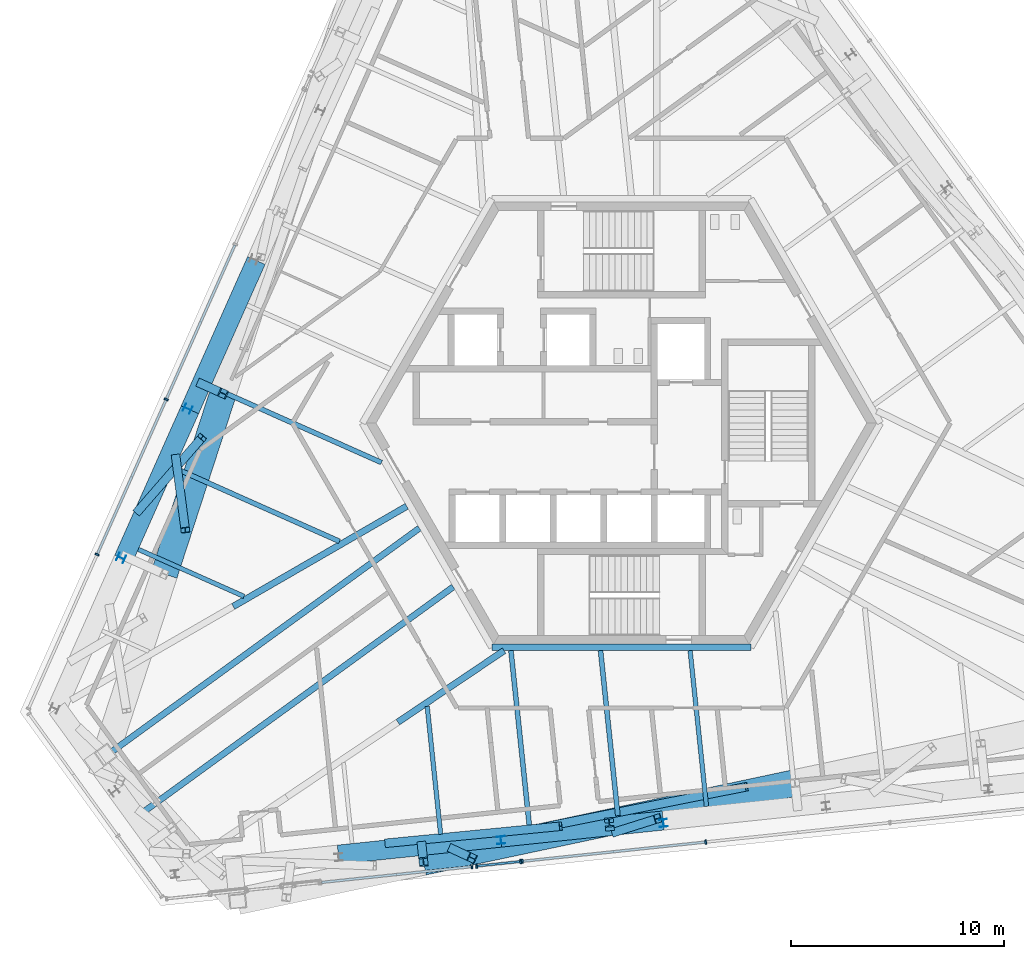
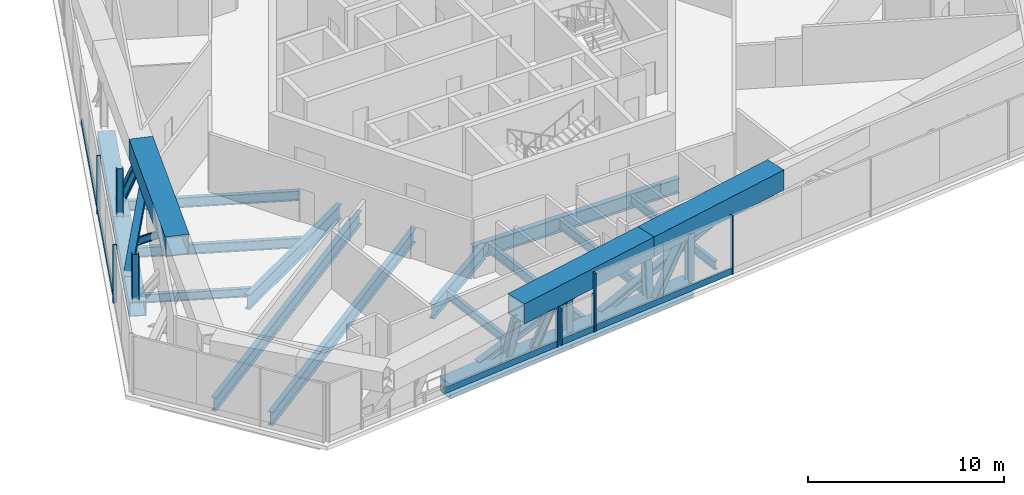
# One storey, part 2 of 23: 32 members, 12 beams, 4 elements without a shape of their own.
"""IFC4 building model written with IfcOpenShell, lengths in metres."""

from ifc_helpers import new_model, si_unit, direction, frame, origin, origin_2d, place, context, subcontext, project, spatial, rectangle, hollow_rectangle, i_section, extrude, source, transform, mapped, material, material_profile, profile_set, type_object, element, aggregate, save


model = new_model("IFC4")

# Units and contexts
model_context = context("Model", 3, precision=1e-05, world=origin(), true_north=direction((0.0, 1.0)))
body_context = subcontext(model_context, "Body", "Model", "MODEL_VIEW")
ifc_project = project(units=[si_unit("LENGTHUNIT", "METRE"), si_unit("AREAUNIT", "SQUARE_METRE"), si_unit("VOLUMEUNIT", "CUBIC_METRE"), si_unit("PLANEANGLEUNIT", "RADIAN"), si_unit("MASSUNIT", "GRAM", prefix="KILO")], contexts=[model_context])

# Site, building, storey
site_placement = place(None, origin())
site = spatial("IfcSite", under=ifc_project, at=site_placement, CompositionType="ELEMENT")
building_placement = place(site_placement, origin())
building = spatial("IfcBuilding", under=site, at=building_placement, Name="Triune Harvest Tower", CompositionType="ELEMENT")
storey_placement = place(building_placement, frame((0.0, 0.0, 255.699951171875)))
storey = spatial("IfcBuildingStorey", under=building, at=storey_placement, Name="L67", CompositionType="ELEMENT", Elevation=255.699951171875)

# Beams
ifc_material_1 = material(Name="Steel ASTM A992 Gr 50", Category="steel")
ifc_material_profile_1 = material_profile(ifc_material_1, i_section(OverallWidth=0.2919921875, OverallDepth=0.8408203125, WebThickness=0.0146484375, FlangeThickness=0.021728515625, at=origin_2d()), Name="W33x130")
ifc_profile_set_1 = profile_set([ifc_material_profile_1], Name="Steel ASTM A992 Gr 50")
beam_type_1 = type_object("IfcBeamType", Name="JT-6 Floor joist W33x130", PredefinedType="JOIST", material=ifc_profile_set_1)
beam_1_placement = place(storey_placement, frame((-24.30810546875, -15.703125, -0.67041015625), z_axis=(0.809009360491, 0.587795759289, 0.0), x_axis=(-0.587795759289, 0.809009360491, 0.0)))
element("IfcBeam", 1, at=beam_1_placement, inside=storey, type_object=beam_type_1, Name="beam/L67/JT23", PredefinedType="JOIST", context=body_context, shape_type="SweptSolid", body=[
    extrude(i_section(OverallWidth=0.2919921875, OverallDepth=0.8408203125, WebThickness=0.0146484375, FlangeThickness=0.021728515625, at=origin_2d()), origin(), (0.0, 0.0, 1.0), 18.30615234375),
])
beam_2_placement = place(storey_placement, frame((-22.446044921875, -18.265869140625, -0.67041015625), z_axis=(0.809013247153, 0.587790409866, 0.0), x_axis=(-0.587790409866, 0.809013247153, 0.0)))
element("IfcBeam", 2, at=beam_2_placement, inside=storey, type_object=beam_type_1, Name="beam/L67/JT24", PredefinedType="JOIST", context=body_context, shape_type="SweptSolid", body=[
    extrude(i_section(OverallWidth=0.2919921875, OverallDepth=0.8408203125, WebThickness=0.0146484375, FlangeThickness=0.021728515625, at=origin_2d()), origin(), (0.0, 0.0, 1.0), 17.97314453125),
])

# Member
ifc_material_2 = material(Name="Steel ASTM A992 Gr 50", Category="steel")
ifc_material_profile_2 = material_profile(ifc_material_2, i_section(OverallWidth=0.40380859375, OverallDepth=0.406494140625, WebThickness=0.027099609375, FlangeThickness=0.043701171875, at=origin_2d()), Name="W14x233")
ifc_profile_set_2 = profile_set([ifc_material_profile_2], Name="Steel ASTM A992 Gr 50")
member_type_1 = type_object("IfcMemberType", Name="TD-3 Belt truss diagonal W14x233", PredefinedType="BRACE", material=ifc_profile_set_2)
member_1_placement = place(storey_placement, frame((-20.9501953125, -1.6005859375, -0.324951171875), z_axis=(0.101064678493, -0.776136945936, 0.622412541579), x_axis=(0.99162833879, 0.129124891901, 0.0)))
element("IfcMember", 3, at=member_1_placement, inside=storey, type_object=member_type_1, Name="truss/L67/TD21", PredefinedType="BRACE", context=body_context, shape_type="SweptSolid", body=[
    extrude(i_section(OverallWidth=0.40380859375, OverallDepth=0.406494140625, WebThickness=0.027099609375, FlangeThickness=0.043701171875, at=origin_2d()), origin(), (0.0, 0.0, 1.0), 4.418212890625),
])

# Curtain wall, member
ifc_material_3 = material(Name="Aluminium bronze anodised", Category="aluminium")
curtain_wall_type = type_object("IfcCurtainWallType", Name="CW-5 Plant louvre wall", PredefinedType="NOTDEFINED", material=ifc_material_3)
curtain_wall_1_placement = place(storey_placement, origin())
curtain_wall_1 = element("IfcCurtainWall", 4, at=curtain_wall_1_placement, inside=storey, type_object=curtain_wall_type, Name="CW-5 B6-F3 L67 run 801")
ifc_material_4 = material(Name="Aluminium bronze anodised", Category="aluminium")
ifc_material_profile_3 = material_profile(ifc_material_4, rectangle(XDim=0.10009765625, YDim=0.39990234375, at=origin_2d()), Name="TR-5 transom 100 x 400")
ifc_profile_set_3 = profile_set([ifc_material_profile_3], Name="Aluminium bronze anodised")
member_type_2 = type_object("IfcMemberType", Name="TR-5 transom 100 x 400", PredefinedType="USERDEFINED", material=ifc_profile_set_3)
member_2_placement = place(storey_placement, frame((-18.17041015625, 8.369140625, 0.199951171875), z_axis=(-0.406723189133, -0.913551447605, 0.0), x_axis=(0.913551447605, -0.406723189133, 0.0)))
member_2 = element("IfcMember", 5, at=member_2_placement, type_object=member_type_2, Name="CW-5 transom B6-F3 801.2", ObjectType="TRANSOM", PredefinedType="USERDEFINED", context=body_context, shape_type="SweptSolid", body=[
    extrude(rectangle(XDim=0.10009765625, YDim=0.39990234375, at=origin_2d()), origin(), (0.0, 0.0, 1.0), 7.90185546875),
])

curtain_wall_2_placement = place(storey_placement, origin())
curtain_wall_2 = element("IfcCurtainWall", 6, at=curtain_wall_2_placement, inside=storey, type_object=curtain_wall_type, Name="CW-5 B6-F5 L67 run 601")
member_3_placement = place(storey_placement, frame((-14.093505859375, -21.594970703125, 0.199951171875), z_axis=(0.994520780482, 0.104539070156, 0.0), x_axis=(-0.104539070156, 0.994520780482, 0.0)))
member_3 = element("IfcMember", 7, at=member_3_placement, type_object=member_type_2, Name="CW-5 transom B6-F5 601.1", ObjectType="TRANSOM", PredefinedType="USERDEFINED", context=body_context, shape_type="SweptSolid", body=[
    extrude(rectangle(XDim=0.10009765625, YDim=0.39990234375, at=origin_2d()), origin(), (0.0, 0.0, 1.0), 7.064697265625),
])

curtain_wall_3_placement = place(storey_placement, origin())
curtain_wall_3 = element("IfcCurtainWall", 8, at=curtain_wall_3_placement, inside=storey, type_object=curtain_wall_type, Name="CW-5 B6-F5 L67 run 701")
member_4_placement = place(storey_placement, frame((-6.76806640625, -20.824951171875, 0.199951171875), z_axis=(0.994527474556, 0.104475367209, 0.0), x_axis=(-0.104475367209, 0.994527474556, 0.0)))
member_4 = element("IfcMember", 9, at=member_4_placement, type_object=member_type_2, Name="CW-5 transom B6-F5 701.1", ObjectType="TRANSOM", PredefinedType="USERDEFINED", context=body_context, shape_type="SweptSolid", body=[
    extrude(rectangle(XDim=0.10009765625, YDim=0.39990234375, at=origin_2d()), origin(), (0.0, 0.0, 1.0), 2.002685546875),
])

curtain_wall_4_placement = place(storey_placement, origin())
curtain_wall_4 = element("IfcCurtainWall", 10, at=curtain_wall_4_placement, inside=storey, type_object=curtain_wall_type, Name="CW-5 B6-F5 L67 run 801")
member_5_placement = place(storey_placement, frame((-4.617431640625, -20.598876953125, 0.199951171875), z_axis=(0.994523819984, 0.104510150146, 0.0), x_axis=(-0.104510150146, 0.994523819984, 0.0)))
member_5 = element("IfcMember", 11, at=member_5_placement, type_object=member_type_2, Name="CW-5 transom B6-F5 801.1", ObjectType="TRANSOM", PredefinedType="USERDEFINED", context=body_context, shape_type="SweptSolid", body=[
    extrude(rectangle(XDim=0.10009765625, YDim=0.39990234375, at=origin_2d()), origin(), (0.0, 0.0, 1.0), 8.58740234375),
])

# Member
ifc_material_5 = material(Name="Steel ASTM A992 Gr 50", Category="steel")
ifc_material_profile_4 = material_profile(ifc_material_5, i_section(OverallWidth=0.411376953125, OverallDepth=0.434326171875, WebThickness=0.035888671875, FlangeThickness=0.057373046875, at=origin_2d()), Name="W14x311")
ifc_profile_set_4 = profile_set([ifc_material_profile_4], Name="Steel ASTM A992 Gr 50")
member_type_3 = type_object("IfcMemberType", Name="TV-1 Belt truss strut W14x311", PredefinedType="STRUT", material=ifc_profile_set_4)
member_6_placement = place(storey_placement, frame((-19.7451171875, 1.843994140625, -0.27490234375), z_axis=(0.347473127466, -0.154711260123, 0.924838824704), x_axis=(0.406750370515, 0.913539345669, 0.0)))
element("IfcMember", 12, at=member_6_placement, inside=storey, type_object=member_type_3, Name="truss/L67/TS11", PredefinedType="STRUT", context=body_context, shape_type="SweptSolid", body=[
    extrude(i_section(OverallWidth=0.411376953125, OverallDepth=0.434326171875, WebThickness=0.035888671875, FlangeThickness=0.057373046875, at=origin_2d()), origin(), (0.0, 0.0, 1.0), 2.91943359375),
])

# Beams
ifc_material_6 = material(Name="Steel ASTM A992 Gr 50", Category="steel")
ifc_material_profile_5 = material_profile(ifc_material_6, i_section(OverallWidth=0.3046875, OverallDepth=0.914306640625, WebThickness=0.0166015625, FlangeThickness=0.02587890625, at=origin_2d()), Name="W36x160")
ifc_profile_set_5 = profile_set([ifc_material_profile_5], Name="Steel ASTM A992 Gr 50")
beam_type_2 = type_object("IfcBeamType", Name="CG-1 Core ring girder W36x160", PredefinedType="BEAM", material=ifc_profile_set_5)
shared_shape_1 = source(origin(), body_context, "Body", "SweptSolid", [
    extrude(i_section(OverallWidth=0.3046875, OverallDepth=0.914306640625, WebThickness=0.0166015625, FlangeThickness=0.02587890625, at=origin_2d()), origin(), (0.0, 0.0, 1.0), 12.17578125),
])
beam_3_placement = place(storey_placement, frame((-6.087890625, -10.544677734375, -0.70703125), z_axis=(1.0, 0.0, 0.0), x_axis=(0.0, 1.0, 0.0)))
element("IfcBeam", 13, at=beam_3_placement, inside=storey, type_object=beam_type_2, Name="beam/L67/CG5", PredefinedType="BEAM", context=body_context, shape_type="MappedRepresentation", body=[
    mapped(shared_shape_1, transform((0.0, 0.0, 0.0), scale=1.0)),
])
ifc_material_7 = material(Name="Steel ASTM A992 Gr 50", Category="steel")
ifc_material_profile_6 = material_profile(ifc_material_7, i_section(OverallWidth=0.3046875, OverallDepth=0.914306640625, WebThickness=0.0166015625, FlangeThickness=0.02587890625, at=origin_2d()), Name="W36x160")
ifc_profile_set_6 = profile_set([ifc_material_profile_6], Name="Steel ASTM A992 Gr 50")
beam_type_3 = type_object("IfcBeamType", Name="HG-3 Hip girder W36x160", PredefinedType="BEAM", material=ifc_profile_set_6)
shared_shape_2 = source(origin(), body_context, "Body", "SweptSolid", [
    extrude(i_section(OverallWidth=0.3046875, OverallDepth=0.914306640625, WebThickness=0.0166015625, FlangeThickness=0.02587890625, at=origin_2d()), origin(), (0.0, 0.0, 1.0), 9.416259765625),
])
beam_4_placement = place(storey_placement, frame((-18.247802734375, -8.62060546875, -0.70703125), z_axis=(0.866032742664, 0.499987288472, 0.0), x_axis=(-0.499987288472, 0.866032742664, 0.0)))
element("IfcBeam", 14, at=beam_4_placement, inside=storey, type_object=beam_type_3, Name="beam/L67/HG6", PredefinedType="BEAM", context=body_context, shape_type="MappedRepresentation", body=[
    mapped(shared_shape_2, transform((0.0, 0.0, 0.0), scale=1.0)),
])
shared_shape_3 = source(origin(), body_context, "Body", "SweptSolid", [
    extrude(i_section(OverallWidth=0.3046875, OverallDepth=0.914306640625, WebThickness=0.0166015625, FlangeThickness=0.02587890625, at=origin_2d()), origin(), (0.0, 0.0, 1.0), 6.02099609375),
])
beam_5_placement = place(storey_placement, frame((-10.508056640625, -14.060791015625, -0.70703125), z_axis=(0.829383245618, 0.558680080088, 0.0), x_axis=(-0.558680080088, 0.829383245618, 0.0)))
element("IfcBeam", 15, at=beam_5_placement, inside=storey, type_object=beam_type_3, Name="beam/L67/HG9", PredefinedType="BEAM", context=body_context, shape_type="MappedRepresentation", body=[
    mapped(shared_shape_3, transform((0.0, 0.0, 0.0), scale=1.0)),
])
ifc_material_8 = material(Name="Steel ASTM A992 Gr 50", Category="steel")
ifc_material_profile_7 = material_profile(ifc_material_8, i_section(OverallWidth=0.2099609375, OverallDepth=0.535888671875, WebThickness=0.010986328125, FlangeThickness=0.017333984375, at=origin_2d()), Name="W21x68")
ifc_profile_set_7 = profile_set([ifc_material_profile_7], Name="Steel ASTM A992 Gr 50")
beam_type_4 = type_object("IfcBeamType", Name="JT-2 Floor joist W21x68", PredefinedType="JOIST", material=ifc_profile_set_7)
shared_shape_4 = source(origin(), body_context, "Body", "SweptSolid", [
    extrude(i_section(OverallWidth=0.2099609375, OverallDepth=0.535888671875, WebThickness=0.010986328125, FlangeThickness=0.017333984375, at=origin_2d()), origin(), (0.0, 0.0, 1.0), 6.048828125),
])
beam_6_placement = place(storey_placement, frame((-8.497802734375, -19.33203125, -0.51806640625), z_axis=(-0.104497789475, 0.994525118836, 0.0), x_axis=(-0.994525118836, -0.104497789475, 0.0)))
element("IfcBeam", 16, at=beam_6_placement, inside=storey, type_object=beam_type_4, Name="beam/L67/JT27", PredefinedType="JOIST", context=body_context, shape_type="MappedRepresentation", body=[
    mapped(shared_shape_4, transform((0.0, 0.0, 0.0), scale=1.0)),
])
ifc_material_9 = material(Name="Steel ASTM A992 Gr 50", Category="steel")
ifc_material_profile_8 = material_profile(ifc_material_9, i_section(OverallWidth=0.22900390625, OverallDepth=0.612060546875, WebThickness=0.011962890625, FlangeThickness=0.01953125, at=origin_2d()), Name="W24x84")
ifc_profile_set_8 = profile_set([ifc_material_profile_8], Name="Steel ASTM A992 Gr 50")
beam_type_5 = type_object("IfcBeamType", Name="JT-3 Floor joist W24x84", PredefinedType="JOIST", material=ifc_profile_set_8)
shared_shape_5 = source(origin(), body_context, "Body", "SweptSolid", [
    extrude(i_section(OverallWidth=0.22900390625, OverallDepth=0.612060546875, WebThickness=0.011962890625, FlangeThickness=0.01953125, at=origin_2d()), origin(), (0.0, 0.0, 1.0), 8.242431640625),
])
beam_7_placement = place(storey_placement, frame((-4.331787109375, -18.894287109375, -0.55615234375), z_axis=(-0.104558351206, 0.994518753565, 0.0), x_axis=(-0.994518753565, -0.104558351206, 0.0)))
element("IfcBeam", 17, at=beam_7_placement, inside=storey, type_object=beam_type_5, Name="beam/L67/JT28", PredefinedType="JOIST", context=body_context, shape_type="MappedRepresentation", body=[
    mapped(shared_shape_5, transform((0.0, 0.0, 0.0), scale=1.0)),
])
shared_shape_6 = source(origin(), body_context, "Body", "SweptSolid", [
    extrude(i_section(OverallWidth=0.22900390625, OverallDepth=0.612060546875, WebThickness=0.011962890625, FlangeThickness=0.01953125, at=origin_2d()), origin(), (0.0, 0.0, 1.0), 7.802001953125),
])
beam_8_placement = place(storey_placement, frame((-0.166015625, -18.456298828125, -0.55615234375), z_axis=(-0.104546327444, 0.994520017605, 0.0), x_axis=(-0.994520017605, -0.104546327444, 0.0)))
element("IfcBeam", 18, at=beam_8_placement, inside=storey, type_object=beam_type_5, Name="beam/L67/JT29", PredefinedType="JOIST", context=body_context, shape_type="MappedRepresentation", body=[
    mapped(shared_shape_6, transform((0.0, 0.0, 0.0), scale=1.0)),
])
shared_shape_7 = source(origin(), body_context, "Body", "SweptSolid", [
    extrude(i_section(OverallWidth=0.2099609375, OverallDepth=0.535888671875, WebThickness=0.010986328125, FlangeThickness=0.017333984375, at=origin_2d()), origin(), (0.0, 0.0, 1.0), 7.36181640625),
])
beam_9_placement = place(storey_placement, frame((3.999755859375, -18.0185546875, -0.51806640625), z_axis=(-0.10452941739, 0.994521795086, 0.0), x_axis=(-0.994521795086, -0.10452941739, 0.0)))
element("IfcBeam", 19, at=beam_9_placement, inside=storey, type_object=beam_type_4, Name="beam/L67/JT30", PredefinedType="JOIST", context=body_context, shape_type="MappedRepresentation", body=[
    mapped(shared_shape_7, transform((0.0, 0.0, 0.0), scale=1.0)),
])
shared_shape_8 = source(origin(), body_context, "Body", "SweptSolid", [
    extrude(i_section(OverallWidth=0.22900390625, OverallDepth=0.612060546875, WebThickness=0.011962890625, FlangeThickness=0.01953125, at=origin_2d()), origin(), (0.0, 0.0, 1.0), 8.787109375),
])
beam_10_placement = place(storey_placement, frame((-19.30810546875, 1.71875, -0.55615234375), z_axis=(0.913546687964, -0.406733879717, 0.0), x_axis=(0.406733879717, 0.913546687964, 0.0)))
element("IfcBeam", 20, at=beam_10_placement, inside=storey, type_object=beam_type_5, Name="beam/L67/JT19", PredefinedType="JOIST", context=body_context, shape_type="MappedRepresentation", body=[
    mapped(shared_shape_8, transform((0.0, 0.0, 0.0), scale=1.0)),
])
shared_shape_9 = source(origin(), body_context, "Body", "SweptSolid", [
    extrude(i_section(OverallWidth=0.22900390625, OverallDepth=0.612060546875, WebThickness=0.011962890625, FlangeThickness=0.01953125, at=origin_2d()), origin(), (0.0, 0.0, 1.0), 8.49169921875),
])
beam_11_placement = place(storey_placement, frame((-21.011962890625, -2.10791015625, -0.55615234375), z_axis=(0.913546969006, -0.406733248482, 0.0), x_axis=(0.406733248482, 0.913546969006, 0.0)))
element("IfcBeam", 21, at=beam_11_placement, inside=storey, type_object=beam_type_5, Name="beam/L67/JT20", PredefinedType="JOIST", context=body_context, shape_type="MappedRepresentation", body=[
    mapped(shared_shape_9, transform((0.0, 0.0, 0.0), scale=1.0)),
])
shared_shape_10 = source(origin(), body_context, "Body", "SweptSolid", [
    extrude(i_section(OverallWidth=0.2099609375, OverallDepth=0.535888671875, WebThickness=0.010986328125, FlangeThickness=0.017333984375, at=origin_2d()), origin(), (0.0, 0.0, 1.0), 5.447998046875),
])
beam_12_placement = place(storey_placement, frame((-22.715576171875, -5.9345703125, -0.51806640625), z_axis=(0.913552650455, -0.40672048737, 0.0), x_axis=(0.40672048737, 0.913552650455, 0.0)))
element("IfcBeam", 22, at=beam_12_placement, inside=storey, type_object=beam_type_4, Name="beam/L67/JT21", PredefinedType="JOIST", context=body_context, shape_type="MappedRepresentation", body=[
    mapped(shared_shape_10, transform((0.0, 0.0, 0.0), scale=1.0)),
])

# Members
ifc_material_10 = material(Name="Steel ASTM A992 Gr 50", Category="steel")
ifc_material_profile_9 = material_profile(ifc_material_10, i_section(OverallWidth=0.368408203125, OverallDepth=0.355712890625, WebThickness=0.01123046875, FlangeThickness=0.01806640625, at=origin_2d()), Name="W14x90")
ifc_profile_set_9 = profile_set([ifc_material_profile_9], Name="Steel ASTM A992 Gr 50")
member_type_4 = type_object("IfcMemberType", Name="WP-6 Roof edge post W14x90", PredefinedType="POST", material=ifc_profile_set_9)
shared_shape_11 = source(origin(), body_context, "Body", "SweptSolid", [
    extrude(i_section(OverallWidth=0.368408203125, OverallDepth=0.355712890625, WebThickness=0.01123046875, FlangeThickness=0.01806640625, at=origin_2d()), origin(), (0.0, 0.0, 1.0), 2.9755859375),
])
for number, where, z_axis, x_axis, name in (
    (23, (-20.396728515625, 0.675048828125, -0.25), (0.0, 0.0, 1.0), (-0.406738237513, -0.913544747752, 0.0), "post/L67/W12"),
    (24, (-23.520263671875, -6.340576171875, -0.25), (0.0, 0.0, 1.0), (-0.406738237513, -0.913544747752, 0.0), "post/L67/W13"),
    (25, (-5.660888671875, -19.60693359375, -0.25), (0.0, 0.0, 1.0), (0.99452171293, 0.104530199036, 0.0), "post/L67/W18"),
    (26, (1.976318359375, -18.80419921875, -0.25), (0.0, 0.0, 1.0), (0.99452171293, 0.104530199036, 0.0), "post/L67/W19"),
):
    element("IfcMember", number, at=place(storey_placement, frame(where, z_axis=z_axis, x_axis=x_axis)), inside=storey, type_object=member_type_4, Name=name, PredefinedType="POST", context=body_context, shape_type="MappedRepresentation", body=[
        mapped(shared_shape_11, transform((0.0, 0.0, 0.0), scale=1.0)),
    ])
ifc_material_11 = material(Name="Steel ASTM A572 Gr 50", Category="steel")
ifc_material_profile_10 = material_profile(ifc_material_11, hollow_rectangle(XDim=0.89990234375, YDim=0.89990234375, WallThickness=0.050048828125, at=origin_2d()), Name="Box 900x900x50")
ifc_profile_set_10 = profile_set([ifc_material_profile_10], Name="Steel ASTM A572 Gr 50")
member_type_5 = type_object("IfcMemberType", Name="TC-2 Belt truss chord Box 900x900x50", PredefinedType="CHORD", material=ifc_profile_set_10)
shared_shape_12 = source(origin(), body_context, "Body", "SweptSolid", [
    extrude(hollow_rectangle(XDim=0.89990234375, YDim=0.89990234375, WallThickness=0.050048828125, at=origin_2d()), origin(), (0.0, 0.0, 1.0), 7.679443359375),
])
for number, where, z_axis, x_axis, name in (
    (27, (-17.163818359375, 7.641845703125, -0.699951171875), (-0.406707683145, -0.913558350884, 0.0), (0.913558350884, -0.406707683145, 0.0), "truss/L67/TCB12"),
    (28, (-20.287109375, 0.626220703125, -0.699951171875), (-0.406734215399, -0.91354653851, 0.0), (0.91354653851, -0.406734215399, 0.0), "truss/L67/TCB13"),
    (29, (-5.673583984375, -19.48779296875, -0.699951171875), (0.994521815363, 0.104529224464, 0.0), (-0.104529224464, 0.994521815363, 0.0), "truss/L67/TCB19"),
):
    element("IfcMember", number, at=place(storey_placement, frame(where, z_axis=z_axis, x_axis=x_axis)), inside=storey, type_object=member_type_5, Name=name, PredefinedType="CHORD", context=body_context, shape_type="MappedRepresentation", body=[
        mapped(shared_shape_12, transform((0.0, 0.0, 0.0), scale=1.0)),
    ])
shared_shape_13 = source(origin(), body_context, "Body", "SweptSolid", [
    extrude(hollow_rectangle(XDim=0.89990234375, YDim=0.89990234375, WallThickness=0.050048828125, at=origin_2d()), origin(), (0.0, 0.0, 1.0), 7.67919921875),
])
member_7_placement = place(storey_placement, frame((-13.310791015625, -20.29052734375, -0.699951171875), z_axis=(0.994521467985, 0.104532529465, 0.0), x_axis=(-0.104532529465, 0.994521467985, 0.0)))
element("IfcMember", 30, at=member_7_placement, inside=storey, type_object=member_type_5, Name="truss/L67/TCB18", PredefinedType="CHORD", context=body_context, shape_type="MappedRepresentation", body=[
    mapped(shared_shape_13, transform((0.0, 0.0, 0.0), scale=1.0)),
])
ifc_material_12 = material(Name="Steel ASTM A572 Gr 50", Category="steel")
ifc_material_profile_11 = material_profile(ifc_material_12, hollow_rectangle(XDim=1.25, YDim=1.25, WallThickness=0.070068359375, at=origin_2d()), Name="Box 1250x1250x70")
ifc_profile_set_11 = profile_set([ifc_material_profile_11], Name="Steel ASTM A572 Gr 50")
member_type_6 = type_object("IfcMemberType", Name="TC-1 Belt truss chord Box 1250x1250x70", PredefinedType="CHORD", material=ifc_profile_set_11)
shared_shape_14 = source(origin(), body_context, "Body", "SweptSolid", [
    extrude(hollow_rectangle(XDim=1.25, YDim=1.25, WallThickness=0.070068359375, at=origin_2d()), origin(), (0.0, 0.0, 1.0), 8.927978515625),
])
for number, where, z_axis, x_axis, name in (
    (31, (-9.30615234375, -20.6298828125, 3.01513671875), (0.978148424958, 0.20790781311, 0.0), (-0.20790781311, 0.978148424958, 0.0), "truss/L67/TCT16"),
    (32, (-0.5732421875, -18.773681640625, 3.01513671875), (0.978148424958, 0.20790781311, 0.0), (-0.20790781311, 0.978148424958, 0.0), "truss/L67/TCT17"),
):
    element("IfcMember", number, at=place(storey_placement, frame(where, z_axis=z_axis, x_axis=x_axis)), inside=storey, type_object=member_type_6, Name=name, PredefinedType="CHORD", context=body_context, shape_type="MappedRepresentation", body=[
        mapped(shared_shape_14, transform((0.0, 0.0, 0.0), scale=1.0)),
    ])
shared_shape_15 = source(origin(), body_context, "Body", "SweptSolid", [
    extrude(hollow_rectangle(XDim=1.25, YDim=1.25, WallThickness=0.070068359375, at=origin_2d()), origin(), (0.0, 0.0, 1.0), 8.92822265625),
])
member_8_placement = place(storey_placement, frame((-18.730712890625, 1.392333984375, 3.01513671875), z_axis=(-0.309024240462, -0.951054161868, 0.0), x_axis=(0.951054161868, -0.309024240462, 0.0)))
element("IfcMember", 33, at=member_8_placement, inside=storey, type_object=member_type_6, Name="truss/L67/TCT11", PredefinedType="CHORD", context=body_context, shape_type="MappedRepresentation", body=[
    mapped(shared_shape_15, transform((0.0, 0.0, 0.0), scale=1.0)),
])
shared_shape_16 = source(origin(), body_context, "Body", "SweptSolid", [
    extrude(i_section(OverallWidth=0.411376953125, OverallDepth=0.434326171875, WebThickness=0.035888671875, FlangeThickness=0.057373046875, at=origin_2d()), origin(), (0.0, 0.0, 1.0), 2.705810546875),
])
member_9_placement = place(storey_placement, frame((-0.5546875, -18.94970703125, -0.27490234375), z_axis=(-0.006857510745, 0.065056121673, 0.997858043801), x_axis=(-0.994490326709, -0.104828383953, 0.0)))
element("IfcMember", 34, at=member_9_placement, inside=storey, type_object=member_type_3, Name="truss/L67/TS17", PredefinedType="STRUT", context=body_context, shape_type="MappedRepresentation", body=[
    mapped(shared_shape_16, transform((0.0, 0.0, 0.0), scale=1.0)),
])
shared_shape_17 = source(origin(), body_context, "Body", "SweptSolid", [
    extrude(i_section(OverallWidth=0.411376953125, OverallDepth=0.434326171875, WebThickness=0.035888671875, FlangeThickness=0.057373046875, at=origin_2d()), origin(), (0.0, 0.0, 1.0), 2.8037109375),
])
member_10_placement = place(storey_placement, frame((-9.38525390625, -19.8779296875, -0.27490234375), z_axis=(0.028212032293, -0.26818845513, 0.962953287428), x_axis=(0.994512527771, 0.104617551623, 0.0)))
element("IfcMember", 35, at=member_10_placement, inside=storey, type_object=member_type_3, Name="truss/L67/TS16", PredefinedType="STRUT", context=body_context, shape_type="MappedRepresentation", body=[
    mapped(shared_shape_17, transform((0.0, 0.0, 0.0), scale=1.0)),
])
shared_shape_18 = source(origin(), body_context, "Body", "SweptSolid", [
    extrude(i_section(OverallWidth=0.40380859375, OverallDepth=0.406494140625, WebThickness=0.027099609375, FlangeThickness=0.043701171875, at=origin_2d()), origin(), (0.0, 0.0, 1.0), 8.6787109375),
])
member_11_placement = place(storey_placement, frame((-11.051025390625, -19.751220703125, -0.324951171875), z_axis=(0.944015450046, 0.091819131919, 0.316866023879), x_axis=(-0.096807597728, 0.995303114143, 0.0)))
element("IfcMember", 36, at=member_11_placement, inside=storey, type_object=member_type_1, Name="truss/L67/TD31", PredefinedType="BRACE", context=body_context, shape_type="MappedRepresentation", body=[
    mapped(shared_shape_18, transform((0.0, 0.0, 0.0), scale=1.0)),
])
shared_shape_19 = source(origin(), body_context, "Body", "SweptSolid", [
    extrude(i_section(OverallWidth=0.40380859375, OverallDepth=0.406494140625, WebThickness=0.027099609375, FlangeThickness=0.043701171875, at=origin_2d()), origin(), (0.0, 0.0, 1.0), 2.927978515625),
])
member_12_placement = place(storey_placement, frame((-7.933349609375, -20.02685546875, -0.324951171875), z_axis=(0.311440077544, -0.144338092163, 0.939239901862), x_axis=(0.420490276873, 0.907297044553, 0.0)))
element("IfcMember", 37, at=member_12_placement, inside=storey, type_object=member_type_1, Name="truss/L67/TD32", PredefinedType="BRACE", context=body_context, shape_type="MappedRepresentation", body=[
    mapped(shared_shape_19, transform((0.0, 0.0, 0.0), scale=1.0)),
])
shared_shape_20 = source(origin(), body_context, "Body", "SweptSolid", [
    extrude(i_section(OverallWidth=0.40380859375, OverallDepth=0.406494140625, WebThickness=0.027099609375, FlangeThickness=0.043701171875, at=origin_2d()), origin(), (0.0, 0.0, 1.0), 3.462890625),
])
member_13_placement = place(storey_placement, frame((-0.2958984375, -19.22412109375, -0.324951171875), z_axis=(0.579749556235, 0.182251319818, 0.794150431889), x_axis=(-0.299892962894, 0.953972856431, 0.0)))
element("IfcMember", 38, at=member_13_placement, inside=storey, type_object=member_type_1, Name="truss/L67/TD34", PredefinedType="BRACE", context=body_context, shape_type="MappedRepresentation", body=[
    mapped(shared_shape_20, transform((0.0, 0.0, 0.0), scale=1.0)),
])
shared_shape_21 = source(origin(), body_context, "Body", "SweptSolid", [
    extrude(i_section(OverallWidth=0.40380859375, OverallDepth=0.406494140625, WebThickness=0.027099609375, FlangeThickness=0.043701171875, at=origin_2d()), origin(), (0.0, 0.0, 1.0), 5.3759765625),
])
member_14_placement = place(storey_placement, frame((-22.747802734375, -4.16259765625, -0.324951171875), z_axis=(0.563810977167, 0.648416684011, 0.511539818511), x_axis=(-0.754622589332, 0.656159087166, 0.0)))
element("IfcMember", 39, at=member_14_placement, inside=storey, type_object=member_type_1, Name="truss/L67/TD22", PredefinedType="BRACE", context=body_context, shape_type="MappedRepresentation", body=[
    mapped(shared_shape_21, transform((0.0, 0.0, 0.0), scale=1.0)),
])
shared_shape_22 = source(origin(), body_context, "Body", "SweptSolid", [
    extrude(i_section(OverallWidth=0.40380859375, OverallDepth=0.406494140625, WebThickness=0.027099609375, FlangeThickness=0.043701171875, at=origin_2d()), origin(), (0.0, 0.0, 1.0), 9.862060546875),
])
member_15_placement = place(storey_placement, frame((-3.41357421875, -18.948486328125, -0.324951171875), z_axis=(0.941828830324, 0.187623096465, 0.278847678927), x_axis=(-0.195372478725, 0.98072911375, 0.0)))
element("IfcMember", 40, at=member_15_placement, inside=storey, type_object=member_type_1, Name="truss/L67/TD33", PredefinedType="BRACE", context=body_context, shape_type="MappedRepresentation", body=[
    mapped(shared_shape_22, transform((0.0, 0.0, 0.0), scale=1.0)),
])

# Member
ifc_material_13 = material(Name="Aluminium bronze anodised", Category="aluminium")
ifc_material_profile_12 = material_profile(ifc_material_13, rectangle(XDim=0.199951171875, YDim=0.080078125, at=origin_2d()), Name="MU-5 mullion 80 x 200")
ifc_profile_set_12 = profile_set([ifc_material_profile_12], Name="Aluminium bronze anodised")
member_type_7 = type_object("IfcMemberType", Name="MU-5 mullion 80 x 200", PredefinedType="MULLION", material=ifc_profile_set_12)
shared_shape_23 = source(origin(), body_context, "Body", "SweptSolid", [
    extrude(rectangle(XDim=0.199951171875, YDim=0.080078125, at=origin_2d()), origin(), (0.0, 0.0, 1.0), 3.64013671875),
])
member_16_placement = place(storey_placement, frame((-21.400634765625, 1.114013671875, 0.0), z_axis=(0.0, 0.0, 1.0), x_axis=(0.913545020627, -0.406737624627, 0.0)))
member_16 = element("IfcMember", 41, at=member_16_placement, type_object=member_type_7, Name="CW-5 mullion B6-F3 801.5", PredefinedType="MULLION", context=body_context, shape_type="MappedRepresentation", body=[
    mapped(shared_shape_23, transform((0.0, 0.0, 0.0), scale=1.0)),
])

member_17_placement = place(storey_placement, frame((-24.64697265625, -6.177734375, 0.0), z_axis=(0.0, 0.0, 1.0), x_axis=(0.913545020627, -0.406737624627, 0.0)))
member_17 = element("IfcMember", 42, at=member_17_placement, type_object=member_type_7, Name="CW-5 mullion B6-F3 801.7", PredefinedType="MULLION", context=body_context, shape_type="MappedRepresentation", body=[
    mapped(shared_shape_23, transform((0.0, 0.0, 0.0), scale=1.0)),
])

member_18_placement = place(storey_placement, frame((-4.6572265625, -20.60302734375, 0.0), z_axis=(0.0, 0.0, 1.0), x_axis=(-0.104530371484, 0.994521694805, 0.0)))
member_18 = element("IfcMember", 43, at=member_18_placement, type_object=member_type_7, Name="CW-5 mullion B6-F5 801.1", PredefinedType="MULLION", context=body_context, shape_type="MappedRepresentation", body=[
    mapped(shared_shape_23, transform((0.0, 0.0, 0.0), scale=1.0)),
])

member_19_placement = place(storey_placement, frame((3.962646484375, -19.697021484375, 0.0), z_axis=(0.0, 0.0, 1.0), x_axis=(-0.104530371484, 0.994521694805, 0.0)))
member_19 = element("IfcMember", 44, at=member_19_placement, type_object=member_type_7, Name="CW-5 mullion B6-F5 801.3", PredefinedType="MULLION", context=body_context, shape_type="MappedRepresentation", body=[
    mapped(shared_shape_23, transform((0.0, 0.0, 0.0), scale=1.0)),
])

aggregate(curtain_wall_4, [member_18, member_19, member_5])

shared_shape_24 = source(origin(), body_context, "Body", "SweptSolid", [
    extrude(rectangle(XDim=0.199951171875, YDim=0.080078125, at=origin_2d()), origin(), (0.0, 0.0, 1.0), 2.330078125),
])
member_20_placement = place(storey_placement, frame((-7.02783203125, -20.852294921875, 0.0), z_axis=(0.0, 0.0, 1.0), x_axis=(-0.104533471287, 0.994521368991, 0.0)))
member_20 = element("IfcMember", 45, at=member_20_placement, type_object=member_type_7, Name="CW-5 mullion B6-F5 601.3", PredefinedType="MULLION", context=body_context, shape_type="MappedRepresentation", body=[
    mapped(shared_shape_24, transform((0.0, 0.0, 0.0), scale=1.0)),
])

aggregate(curtain_wall_2, [member_20, member_3])

member_21_placement = place(storey_placement, frame((-6.807861328125, -20.8291015625, 0.0), z_axis=(0.0, 0.0, 1.0), x_axis=(-0.104506656562, 0.994524187104, 0.0)))
member_21 = element("IfcMember", 46, at=member_21_placement, type_object=member_type_7, Name="CW-5 mullion B6-F5 701.1", PredefinedType="MULLION", context=body_context, shape_type="MappedRepresentation", body=[
    mapped(shared_shape_24, transform((0.0, 0.0, 0.0), scale=1.0)),
])

member_22_placement = place(storey_placement, frame((-4.736572265625, -20.611572265625, 0.0), z_axis=(0.0, 0.0, 1.0), x_axis=(-0.104506656562, 0.994524187104, 0.0)))
member_22 = element("IfcMember", 47, at=member_22_placement, type_object=member_type_7, Name="CW-5 mullion B6-F5 701.2", PredefinedType="MULLION", context=body_context, shape_type="MappedRepresentation", body=[
    mapped(shared_shape_24, transform((0.0, 0.0, 0.0), scale=1.0)),
])

aggregate(curtain_wall_3, [member_21, member_22, member_4])

shared_shape_25 = source(origin(), body_context, "Body", "SweptSolid", [
    extrude(rectangle(XDim=0.10009765625, YDim=0.39990234375, at=origin_2d()), origin(), (0.0, 0.0, 1.0), 7.901611328125),
])
member_23_placement = place(storey_placement, frame((-21.416748046875, 1.077392578125, 0.199951171875), z_axis=(-0.406760454998, -0.91353485552, 0.0), x_axis=(0.91353485552, -0.406760454998, 0.0)))
member_23 = element("IfcMember", 48, at=member_23_placement, type_object=member_type_2, Name="CW-5 transom B6-F3 801.3", ObjectType="TRANSOM", PredefinedType="USERDEFINED", context=body_context, shape_type="MappedRepresentation", body=[
    mapped(shared_shape_25, transform((0.0, 0.0, 0.0), scale=1.0)),
])

aggregate(curtain_wall_1, [member_16, member_17, member_2, member_23])

save(model, "model.ifc")
